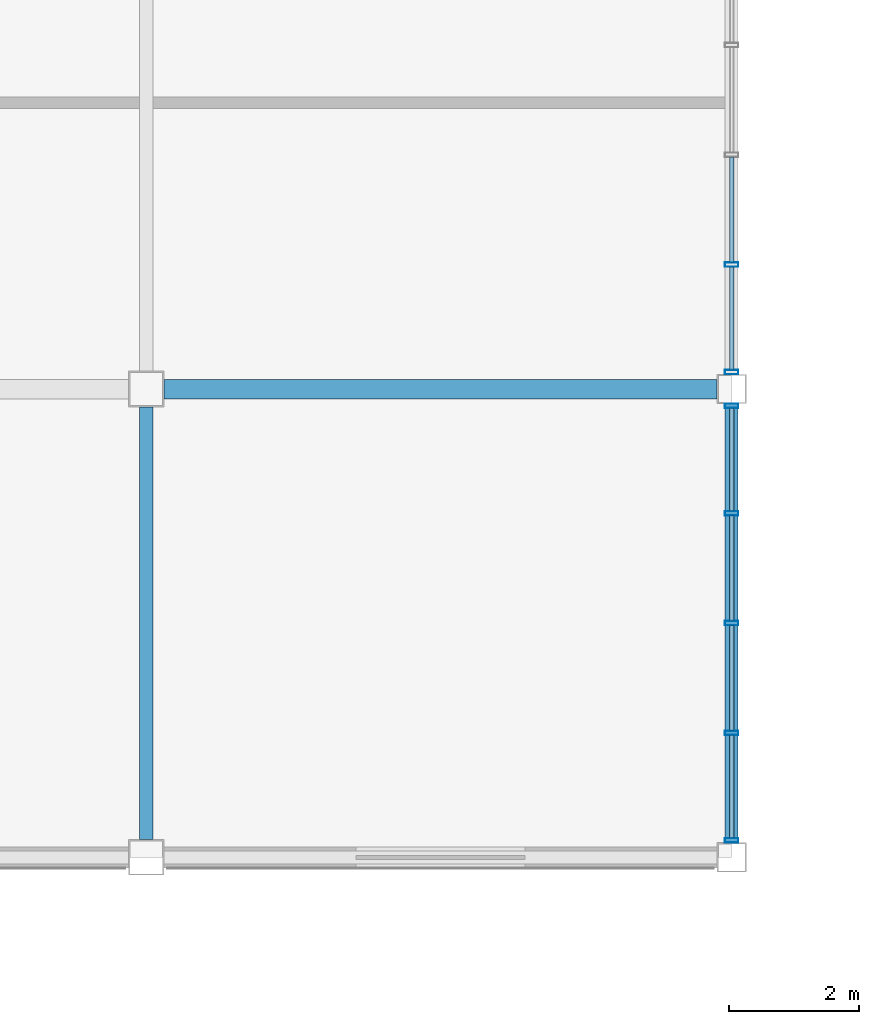
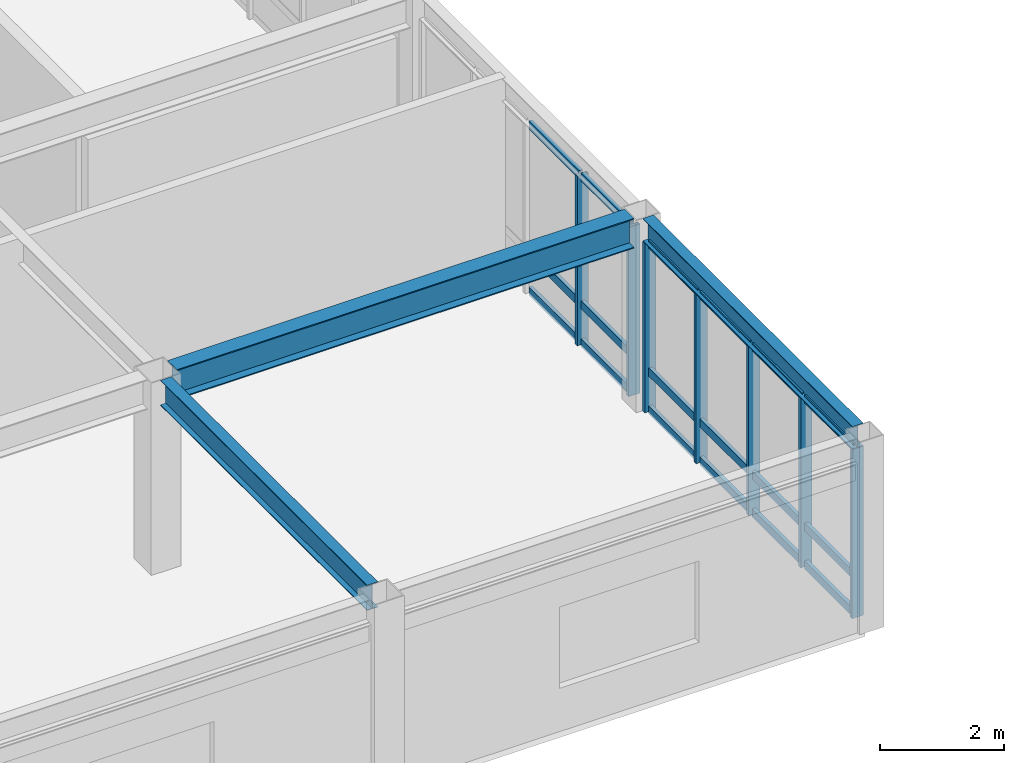
# One storey, part 41 of 113: 25 members, 3 beams, 2 elements without a shape of their own.
"""IFC4 building model written with IfcOpenShell, lengths in metres."""

from ifc_helpers import new_model, si_unit, direction, frame, origin, origin_2d, place, context, subcontext, project, spatial, hollow_rectangle, i_section, extrude, material, material_profile, profile_set, type_object, element, aggregate, save


model = new_model("IFC4")

# Units and contexts
model_context = context("Model", 3, precision=1e-05, world=origin(), true_north=direction((0.0, 1.0)))
body_context = subcontext(model_context, "Body", "Model", "MODEL_VIEW")
ifc_project = project(units=[si_unit("LENGTHUNIT", "METRE"), si_unit("AREAUNIT", "SQUARE_METRE"), si_unit("VOLUMEUNIT", "CUBIC_METRE"), si_unit("PLANEANGLEUNIT", "RADIAN"), si_unit("MASSUNIT", "GRAM", prefix="KILO")], contexts=[model_context])

# Site, building, storey
site_placement = place(None, origin())
site = spatial("IfcSite", under=ifc_project, at=site_placement, CompositionType="ELEMENT")
building_placement = place(site_placement, origin())
building = spatial("IfcBuilding", under=site, at=building_placement, Name="Kazanami Central Library", CompositionType="ELEMENT")
storey_placement = place(building_placement, frame((0.0, 0.0, 8.800048828125)))
storey = spatial("IfcBuildingStorey", under=building, at=storey_placement, Name="L03", CompositionType="ELEMENT", Elevation=8.800048828125)

# Beams
ifc_material_1 = material(Name="Steel SN490B (325 MPa)", Category="steel")
ifc_material_profile_1 = material_profile(ifc_material_1, i_section(OverallWidth=0.300048828125, OverallDepth=0.587890625, WebThickness=0.011962890625, FlangeThickness=0.02001953125, at=origin_2d()), Name="H-588x300x12x20")
ifc_profile_set_1 = profile_set([ifc_material_profile_1], Name="Steel SN490B (325 MPa)")
beam_type_1 = type_object("IfcBeamType", Name="BM-G-X2", PredefinedType="BEAM", material=ifc_profile_set_1)
beam_1_placement = place(storey_placement, frame((99.27294921875, 28.800048828125, 3.48583984375), z_axis=(1.0, 0.0, 0.0), x_axis=(0.0, 1.0, 0.0)))
element("IfcBeam", 1, at=beam_1_placement, inside=storey, type_object=beam_type_1, Name="Girder G-X2 L03 E/12-13", PredefinedType="BEAM", context=body_context, shape_type="SweptSolid", body=[
    extrude(i_section(OverallWidth=0.300048828125, OverallDepth=0.587890625, WebThickness=0.011962890625, FlangeThickness=0.02001953125, at=origin_2d()), origin(), (0.0, 0.0, 1.0), 8.504150390625),
])
ifc_material_profile_2 = material_profile(ifc_material_1, i_section(OverallWidth=0.199951171875, OverallDepth=0.5, WebThickness=0.010009765625, FlangeThickness=0.01611328125, at=origin_2d()), Name="H-500x200x10x16")
ifc_profile_set_2 = profile_set([ifc_material_profile_2], Name="Steel SN490B (325 MPa)")
beam_type_2 = type_object("IfcBeamType", Name="BM-G-Y2", PredefinedType="BEAM", material=ifc_profile_set_2)
beam_2_placement = place(storey_placement, frame((99.0, 21.873046875, 3.530029296875), z_axis=(0.0, 1.0, 0.0), x_axis=(-1.0, 0.0, 0.0)))
element("IfcBeam", 2, at=beam_2_placement, inside=storey, type_object=beam_type_2, Name="Girder G-Y2 L03 12/D-E", PredefinedType="BEAM", context=body_context, shape_type="SweptSolid", body=[
    extrude(i_section(OverallWidth=0.199951171875, OverallDepth=0.5, WebThickness=0.010009765625, FlangeThickness=0.01611328125, at=origin_2d()), origin(), (0.0, 0.0, 1.0), 6.654052734375),
])
ifc_material_profile_3 = material_profile(ifc_material_1, i_section(OverallWidth=0.199951171875, OverallDepth=0.449951171875, WebThickness=0.009033203125, FlangeThickness=0.013916015625, at=origin_2d()), Name="H-450x200x9x14")
ifc_profile_set_3 = profile_set([ifc_material_profile_3], Name="Steel SN490B (325 MPa)")
beam_type_3 = type_object("IfcBeamType", Name="BM-SP-2", PredefinedType="SPANDREL", material=ifc_profile_set_3)
beam_3_placement = place(storey_placement, frame((108.0, 21.822998046875, 3.554931640625), z_axis=(0.0, 1.0, 0.0), x_axis=(-1.0, 0.0, 0.0)))
element("IfcBeam", 3, at=beam_3_placement, inside=storey, type_object=beam_type_3, Name="Girder SP-2 L03 13/D-E", PredefinedType="SPANDREL", context=body_context, shape_type="SweptSolid", body=[
    extrude(i_section(OverallWidth=0.199951171875, OverallDepth=0.449951171875, WebThickness=0.009033203125, FlangeThickness=0.013916015625, at=origin_2d()), origin(), (0.0, 0.0, 1.0), 6.75390625),
])

# Curtain wall, members
ifc_material_2 = material(Name="Acid-Etched Low-E Laminated Glass", Category="glass")
curtain_wall_type = type_object("IfcCurtainWallType", Name="CW-6750x3330-M180", PredefinedType="USERDEFINED", material=ifc_material_2)
curtain_wall_1_placement = place(storey_placement, origin())
curtain_wall_1 = element("IfcCurtainWall", 4, at=curtain_wall_1_placement, inside=storey, type_object=curtain_wall_type, Name="Covered Link Bridge Curtain Wall CW-34 L03 E-13-03", ObjectType="UNITISED CURTAIN WALL", PredefinedType="USERDEFINED")
ifc_material_3 = material(Name="Anodised Aluminium A6063-T5", Category="aluminium")
ifc_material_profile_4 = material_profile(ifc_material_3, hollow_rectangle(XDim=0.070068359375, YDim=0.2099609375, WallThickness=0.0048828125, at=origin_2d()), Name="ALU-MULL-70x210x5")
ifc_profile_set_4 = profile_set([ifc_material_profile_4], Name="Anodised Aluminium A6063-T5")
member_type_1 = type_object("IfcMemberType", Name="MEM-CW-M1", PredefinedType="MULLION", material=ifc_profile_set_4)
member_1_placement = place(storey_placement, frame((108.0, 28.5400390625, 0.0), z_axis=(0.0, 0.0, 1.0), x_axis=(0.0, -1.0, 0.0)))
member_1 = element("IfcMember", 5, at=member_1_placement, type_object=member_type_1, Name="CW-34 mullion 1", PredefinedType="MULLION", context=body_context, shape_type="SweptSolid", body=[
    extrude(hollow_rectangle(XDim=0.070068359375, YDim=0.2099609375, WallThickness=0.0048828125, at=origin_2d()), origin(), (0.0, 0.0, 1.0), 3.329833984375),
])
member_2_placement = place(storey_placement, frame((108.0, 26.887451171875, 0.0), z_axis=(0.0, 0.0, 1.0), x_axis=(0.0, -1.0, 0.0)))
member_2 = element("IfcMember", 6, at=member_2_placement, type_object=member_type_1, Name="CW-34 mullion 2", PredefinedType="MULLION", context=body_context, shape_type="SweptSolid", body=[
    extrude(hollow_rectangle(XDim=0.070068359375, YDim=0.2099609375, WallThickness=0.0048828125, at=origin_2d()), origin(), (0.0, 0.0, 1.0), 3.329833984375),
])
member_3_placement = place(storey_placement, frame((108.0, 25.199951171875, 0.0), z_axis=(0.0, 0.0, 1.0), x_axis=(0.0, -1.0, 0.0)))
member_3 = element("IfcMember", 7, at=member_3_placement, type_object=member_type_1, Name="CW-34 mullion 3", PredefinedType="MULLION", context=body_context, shape_type="SweptSolid", body=[
    extrude(hollow_rectangle(XDim=0.070068359375, YDim=0.2099609375, WallThickness=0.0048828125, at=origin_2d()), origin(), (0.0, 0.0, 1.0), 3.329833984375),
])
member_4_placement = place(storey_placement, frame((108.0, 23.512451171875, 0.0), z_axis=(0.0, 0.0, 1.0), x_axis=(0.0, -1.0, 0.0)))
member_4 = element("IfcMember", 8, at=member_4_placement, type_object=member_type_1, Name="CW-34 mullion 4", PredefinedType="MULLION", context=body_context, shape_type="SweptSolid", body=[
    extrude(hollow_rectangle(XDim=0.070068359375, YDim=0.2099609375, WallThickness=0.0048828125, at=origin_2d()), origin(), (0.0, 0.0, 1.0), 3.329833984375),
])
member_5_placement = place(storey_placement, frame((108.0, 21.860107421875, 0.0), z_axis=(0.0, 0.0, 1.0), x_axis=(0.0, -1.0, 0.0)))
member_5 = element("IfcMember", 9, at=member_5_placement, type_object=member_type_1, Name="CW-34 mullion 5", PredefinedType="MULLION", context=body_context, shape_type="SweptSolid", body=[
    extrude(hollow_rectangle(XDim=0.070068359375, YDim=0.2099609375, WallThickness=0.0048828125, at=origin_2d()), origin(), (0.0, 0.0, 1.0), 3.329833984375),
])

curtain_wall_2_placement = place(storey_placement, origin())
curtain_wall_2 = element("IfcCurtainWall", 10, at=curtain_wall_2_placement, inside=storey, type_object=curtain_wall_type, Name="Covered Link Bridge Curtain Wall CW-34 L03 E-13-04", ObjectType="UNITISED CURTAIN WALL", PredefinedType="USERDEFINED")
member_6_placement = place(storey_placement, frame((108.0, 30.71240234375, 0.0), z_axis=(0.0, 0.0, 1.0), x_axis=(0.0, -1.0, 0.0)))
member_6 = element("IfcMember", 11, at=member_6_placement, type_object=member_type_1, Name="CW-34 mullion 4", PredefinedType="MULLION", context=body_context, shape_type="SweptSolid", body=[
    extrude(hollow_rectangle(XDim=0.070068359375, YDim=0.2099609375, WallThickness=0.0048828125, at=origin_2d()), origin(), (0.0, 0.0, 1.0), 3.329833984375),
])
member_7_placement = place(storey_placement, frame((108.0, 29.06005859375, 0.0), z_axis=(0.0, 0.0, 1.0), x_axis=(0.0, -1.0, 0.0)))
member_7 = element("IfcMember", 12, at=member_7_placement, type_object=member_type_1, Name="CW-34 mullion 5", PredefinedType="MULLION", context=body_context, shape_type="SweptSolid", body=[
    extrude(hollow_rectangle(XDim=0.070068359375, YDim=0.2099609375, WallThickness=0.0048828125, at=origin_2d()), origin(), (0.0, 0.0, 1.0), 3.329833984375),
])

# Member
ifc_material_profile_5 = material_profile(ifc_material_3, hollow_rectangle(XDim=0.070068359375, YDim=0.159912109375, WallThickness=0.00390625, at=origin_2d()), Name="ALU-TRAN-70x160x4")
ifc_profile_set_5 = profile_set([ifc_material_profile_5], Name="Anodised Aluminium A6063-T5")
member_type_2 = type_object("IfcMemberType", Name="MEM-CW-T1", PredefinedType="USERDEFINED", material=ifc_profile_set_5)
member_8_placement = place(storey_placement, frame((108.0, 28.5048828125, 0.034912109375), z_axis=(0.0, -1.0, 0.0), x_axis=(1.0, 0.0, 0.0)))
member_8 = element("IfcMember", 13, at=member_8_placement, type_object=member_type_2, Name="CW-34 transom 1.1", ObjectType="TRANSOM", PredefinedType="USERDEFINED", context=body_context, shape_type="SweptSolid", body=[
    extrude(hollow_rectangle(XDim=0.070068359375, YDim=0.159912109375, WallThickness=0.00390625, at=origin_2d()), origin(), (0.0, 0.0, 1.0), 1.582275390625),
])

member_9_placement = place(storey_placement, frame((108.0, 28.5048828125, 0.780029296875), z_axis=(0.0, -1.0, 0.0), x_axis=(1.0, 0.0, 0.0)))
member_9 = element("IfcMember", 14, at=member_9_placement, type_object=member_type_2, Name="CW-34 transom 1.2", ObjectType="TRANSOM", PredefinedType="USERDEFINED", context=body_context, shape_type="SweptSolid", body=[
    extrude(hollow_rectangle(XDim=0.070068359375, YDim=0.159912109375, WallThickness=0.00390625, at=origin_2d()), origin(), (0.0, 0.0, 1.0), 1.582275390625),
])

member_10_placement = place(storey_placement, frame((108.0, 28.5048828125, 3.294921875), z_axis=(0.0, -1.0, 0.0), x_axis=(1.0, 0.0, 0.0)))
member_10 = element("IfcMember", 15, at=member_10_placement, type_object=member_type_2, Name="CW-34 transom 1.3", ObjectType="TRANSOM", PredefinedType="USERDEFINED", context=body_context, shape_type="SweptSolid", body=[
    extrude(hollow_rectangle(XDim=0.070068359375, YDim=0.159912109375, WallThickness=0.00390625, at=origin_2d()), origin(), (0.0, 0.0, 1.0), 1.582275390625),
])

member_11_placement = place(storey_placement, frame((108.0, 26.8525390625, 0.034912109375), z_axis=(0.0, -1.0, 0.0), x_axis=(1.0, 0.0, 0.0)))
member_11 = element("IfcMember", 16, at=member_11_placement, type_object=member_type_2, Name="CW-34 transom 2.1", ObjectType="TRANSOM", PredefinedType="USERDEFINED", context=body_context, shape_type="SweptSolid", body=[
    extrude(hollow_rectangle(XDim=0.070068359375, YDim=0.159912109375, WallThickness=0.00390625, at=origin_2d()), origin(), (0.0, 0.0, 1.0), 1.617431640625),
])

member_12_placement = place(storey_placement, frame((108.0, 26.8525390625, 0.780029296875), z_axis=(0.0, -1.0, 0.0), x_axis=(1.0, 0.0, 0.0)))
member_12 = element("IfcMember", 17, at=member_12_placement, type_object=member_type_2, Name="CW-34 transom 2.2", ObjectType="TRANSOM", PredefinedType="USERDEFINED", context=body_context, shape_type="SweptSolid", body=[
    extrude(hollow_rectangle(XDim=0.070068359375, YDim=0.159912109375, WallThickness=0.00390625, at=origin_2d()), origin(), (0.0, 0.0, 1.0), 1.617431640625),
])

member_13_placement = place(storey_placement, frame((108.0, 26.8525390625, 3.294921875), z_axis=(0.0, -1.0, 0.0), x_axis=(1.0, 0.0, 0.0)))
member_13 = element("IfcMember", 18, at=member_13_placement, type_object=member_type_2, Name="CW-34 transom 2.3", ObjectType="TRANSOM", PredefinedType="USERDEFINED", context=body_context, shape_type="SweptSolid", body=[
    extrude(hollow_rectangle(XDim=0.070068359375, YDim=0.159912109375, WallThickness=0.00390625, at=origin_2d()), origin(), (0.0, 0.0, 1.0), 1.617431640625),
])

member_14_placement = place(storey_placement, frame((108.0, 25.1650390625, 0.034912109375), z_axis=(0.0, -1.0, 0.0), x_axis=(1.0, 0.0, 0.0)))
member_14 = element("IfcMember", 19, at=member_14_placement, type_object=member_type_2, Name="CW-34 transom 3.1", ObjectType="TRANSOM", PredefinedType="USERDEFINED", context=body_context, shape_type="SweptSolid", body=[
    extrude(hollow_rectangle(XDim=0.070068359375, YDim=0.159912109375, WallThickness=0.00390625, at=origin_2d()), origin(), (0.0, 0.0, 1.0), 1.617431640625),
])

member_15_placement = place(storey_placement, frame((108.0, 25.1650390625, 0.780029296875), z_axis=(0.0, -1.0, 0.0), x_axis=(1.0, 0.0, 0.0)))
member_15 = element("IfcMember", 20, at=member_15_placement, type_object=member_type_2, Name="CW-34 transom 3.2", ObjectType="TRANSOM", PredefinedType="USERDEFINED", context=body_context, shape_type="SweptSolid", body=[
    extrude(hollow_rectangle(XDim=0.070068359375, YDim=0.159912109375, WallThickness=0.00390625, at=origin_2d()), origin(), (0.0, 0.0, 1.0), 1.617431640625),
])

member_16_placement = place(storey_placement, frame((108.0, 25.1650390625, 3.294921875), z_axis=(0.0, -1.0, 0.0), x_axis=(1.0, 0.0, 0.0)))
member_16 = element("IfcMember", 21, at=member_16_placement, type_object=member_type_2, Name="CW-34 transom 3.3", ObjectType="TRANSOM", PredefinedType="USERDEFINED", context=body_context, shape_type="SweptSolid", body=[
    extrude(hollow_rectangle(XDim=0.070068359375, YDim=0.159912109375, WallThickness=0.00390625, at=origin_2d()), origin(), (0.0, 0.0, 1.0), 1.617431640625),
])

member_17_placement = place(storey_placement, frame((108.0, 23.4775390625, 0.034912109375), z_axis=(0.0, -1.0, 0.0), x_axis=(1.0, 0.0, 0.0)))
member_17 = element("IfcMember", 22, at=member_17_placement, type_object=member_type_2, Name="CW-34 transom 4.1", ObjectType="TRANSOM", PredefinedType="USERDEFINED", context=body_context, shape_type="SweptSolid", body=[
    extrude(hollow_rectangle(XDim=0.070068359375, YDim=0.159912109375, WallThickness=0.00390625, at=origin_2d()), origin(), (0.0, 0.0, 1.0), 1.58251953125),
])

member_18_placement = place(storey_placement, frame((108.0, 23.4775390625, 0.780029296875), z_axis=(0.0, -1.0, 0.0), x_axis=(1.0, 0.0, 0.0)))
member_18 = element("IfcMember", 23, at=member_18_placement, type_object=member_type_2, Name="CW-34 transom 4.2", ObjectType="TRANSOM", PredefinedType="USERDEFINED", context=body_context, shape_type="SweptSolid", body=[
    extrude(hollow_rectangle(XDim=0.070068359375, YDim=0.159912109375, WallThickness=0.00390625, at=origin_2d()), origin(), (0.0, 0.0, 1.0), 1.58251953125),
])

member_19_placement = place(storey_placement, frame((108.0, 23.4775390625, 3.294921875), z_axis=(0.0, -1.0, 0.0), x_axis=(1.0, 0.0, 0.0)))
member_19 = element("IfcMember", 24, at=member_19_placement, type_object=member_type_2, Name="CW-34 transom 4.3", ObjectType="TRANSOM", PredefinedType="USERDEFINED", context=body_context, shape_type="SweptSolid", body=[
    extrude(hollow_rectangle(XDim=0.070068359375, YDim=0.159912109375, WallThickness=0.00390625, at=origin_2d()), origin(), (0.0, 0.0, 1.0), 1.58251953125),
])

aggregate(curtain_wall_1, [member_1, member_2, member_3, member_4, member_5, member_8, member_9, member_10, member_11, member_12, member_13, member_14, member_15, member_16, member_17, member_18, member_19])

member_20_placement = place(storey_placement, frame((108.0, 32.364990234375, 0.034912109375), z_axis=(0.0, -1.0, 0.0), x_axis=(1.0, 0.0, 0.0)))
member_20 = element("IfcMember", 25, at=member_20_placement, type_object=member_type_2, Name="CW-34 transom 3.1", ObjectType="TRANSOM", PredefinedType="USERDEFINED", context=body_context, shape_type="SweptSolid", body=[
    extrude(hollow_rectangle(XDim=0.070068359375, YDim=0.159912109375, WallThickness=0.00390625, at=origin_2d()), origin(), (0.0, 0.0, 1.0), 1.617431640625),
])

member_21_placement = place(storey_placement, frame((108.0, 32.364990234375, 0.780029296875), z_axis=(0.0, -1.0, 0.0), x_axis=(1.0, 0.0, 0.0)))
member_21 = element("IfcMember", 26, at=member_21_placement, type_object=member_type_2, Name="CW-34 transom 3.2", ObjectType="TRANSOM", PredefinedType="USERDEFINED", context=body_context, shape_type="SweptSolid", body=[
    extrude(hollow_rectangle(XDim=0.070068359375, YDim=0.159912109375, WallThickness=0.00390625, at=origin_2d()), origin(), (0.0, 0.0, 1.0), 1.617431640625),
])

member_22_placement = place(storey_placement, frame((108.0, 32.364990234375, 3.294921875), z_axis=(0.0, -1.0, 0.0), x_axis=(1.0, 0.0, 0.0)))
member_22 = element("IfcMember", 27, at=member_22_placement, type_object=member_type_2, Name="CW-34 transom 3.3", ObjectType="TRANSOM", PredefinedType="USERDEFINED", context=body_context, shape_type="SweptSolid", body=[
    extrude(hollow_rectangle(XDim=0.070068359375, YDim=0.159912109375, WallThickness=0.00390625, at=origin_2d()), origin(), (0.0, 0.0, 1.0), 1.617431640625),
])

member_23_placement = place(storey_placement, frame((108.0, 30.677490234375, 0.034912109375), z_axis=(0.0, -1.0, 0.0), x_axis=(1.0, 0.0, 0.0)))
member_23 = element("IfcMember", 28, at=member_23_placement, type_object=member_type_2, Name="CW-34 transom 4.1", ObjectType="TRANSOM", PredefinedType="USERDEFINED", context=body_context, shape_type="SweptSolid", body=[
    extrude(hollow_rectangle(XDim=0.070068359375, YDim=0.159912109375, WallThickness=0.00390625, at=origin_2d()), origin(), (0.0, 0.0, 1.0), 1.58251953125),
])

member_24_placement = place(storey_placement, frame((108.0, 30.677490234375, 0.780029296875), z_axis=(0.0, -1.0, 0.0), x_axis=(1.0, 0.0, 0.0)))
member_24 = element("IfcMember", 29, at=member_24_placement, type_object=member_type_2, Name="CW-34 transom 4.2", ObjectType="TRANSOM", PredefinedType="USERDEFINED", context=body_context, shape_type="SweptSolid", body=[
    extrude(hollow_rectangle(XDim=0.070068359375, YDim=0.159912109375, WallThickness=0.00390625, at=origin_2d()), origin(), (0.0, 0.0, 1.0), 1.58251953125),
])

member_25_placement = place(storey_placement, frame((108.0, 30.677490234375, 3.294921875), z_axis=(0.0, -1.0, 0.0), x_axis=(1.0, 0.0, 0.0)))
member_25 = element("IfcMember", 30, at=member_25_placement, type_object=member_type_2, Name="CW-34 transom 4.3", ObjectType="TRANSOM", PredefinedType="USERDEFINED", context=body_context, shape_type="SweptSolid", body=[
    extrude(hollow_rectangle(XDim=0.070068359375, YDim=0.159912109375, WallThickness=0.00390625, at=origin_2d()), origin(), (0.0, 0.0, 1.0), 1.58251953125),
])

aggregate(curtain_wall_2, [member_6, member_7, member_20, member_21, member_22, member_23, member_24, member_25])

save(model, "model.ifc")
